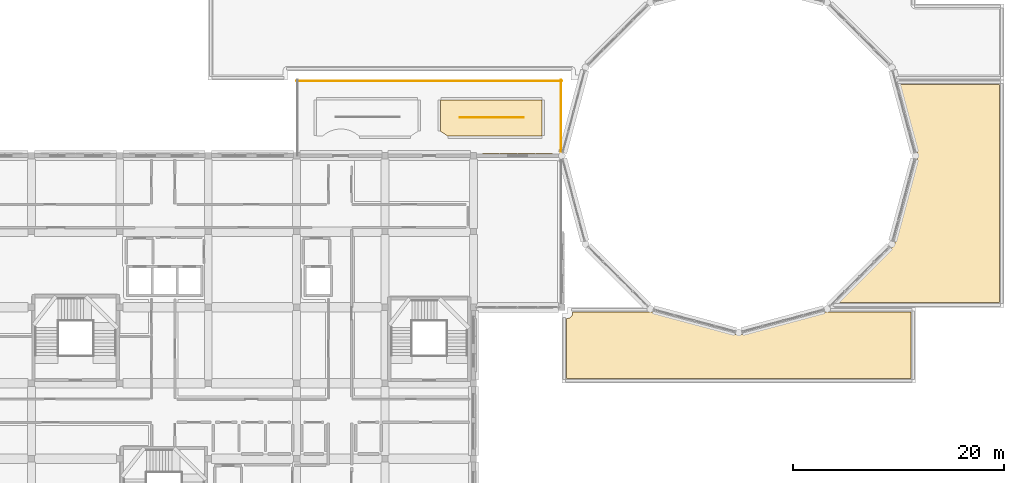
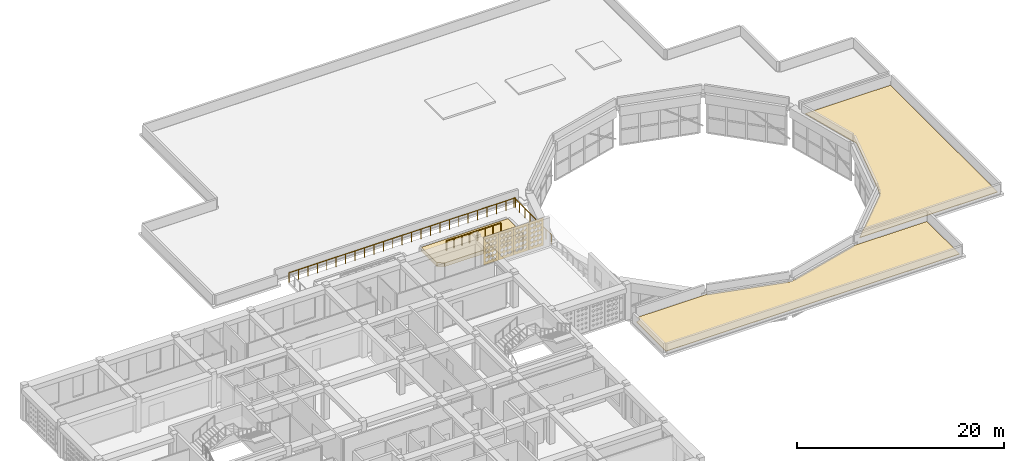
# One storey, part 47 of 48: 7 coverings, 5 railings.
"""IFC4 building model written with IfcOpenShell, lengths in metres."""

from ifc_helpers import new_model, si_unit, derived_unit, direction, frame, origin, origin_2d, place, context, subcontext, project, spatial, polyline, circle, outline, extrude, material, layer, layer_set, type_object, element, save


model = new_model("IFC4")

# Units and contexts
model_context = context("Model", 3, precision=1e-05, world=origin(), true_north=direction((0.0, 1.0)))
body_context = subcontext(model_context, "Body", "Model", "MODEL_VIEW")
ifc_project = project(units=[si_unit("LENGTHUNIT", "METRE"), si_unit("AREAUNIT", "SQUARE_METRE"), si_unit("VOLUMEUNIT", "CUBIC_METRE"), si_unit("PLANEANGLEUNIT", "RADIAN"), si_unit("MASSUNIT", "GRAM", prefix="KILO"), derived_unit("THERMALTRANSMITTANCEUNIT", [(si_unit("POWERUNIT", "WATT"), 1), (si_unit("LENGTHUNIT", "METRE"), -2), (si_unit("THERMODYNAMICTEMPERATUREUNIT", "KELVIN"), -1)])], contexts=[model_context])

# Site, building, storey
site_placement = place(None, origin())
site = spatial("IfcSite", under=ifc_project, at=site_placement, CompositionType="ELEMENT")
building_placement = place(site_placement, origin())
building = spatial("IfcBuilding", under=site, at=building_placement, Name="Veybourne Emporium", CompositionType="ELEMENT")
storey_placement = place(building_placement, frame((0.0, 0.0, 27.89990234375)))
storey = spatial("IfcBuildingStorey", under=building, at=storey_placement, Name="L06", CompositionType="ELEMENT", Elevation=27.89990234375)

# Railings
ifc_material_1 = material(Name="Patinated Architectural Bronze", Category="bronze")
railing_type = type_object("IfcRailingType", Name="Guard_GR-02", PredefinedType="GUARDRAIL", material=ifc_material_1)
for number, where, name in (
    (1, (33.60009765625, 57.52001953125, 0.0), "L06 terrace perimeter guardrail 005"),
    (2, (42.0, 57.52001953125, 0.0), "L06 terrace perimeter guardrail 009"),
):
    element("IfcRailing", number, at=place(storey_placement, frame(where)), inside=storey, type_object=railing_type, Name=name, PredefinedType="GUARDRAIL", context=body_context, shape_type="SweptSolid", body=[
        extrude(circle(Radius=0.02392578125, at=origin_2d()), frame((0.0, 0.0, 1.1259765625), z_axis=(1.0, 0.0, 0.0), x_axis=(0.0, 1.0, 0.0)), (0.0, 0.0, 1.0), 8.39990234375),
        extrude(circle(Radius=0.02099609375, at=origin_2d()), origin(), (0.0, 0.0, 1.0), 1.101806640625),
        extrude(circle(Radius=0.02099609375, at=origin_2d()), frame((1.050048828125, 0.0, 0.0)), (0.0, 0.0, 1.0), 1.101806640625),
        extrude(circle(Radius=0.02099609375, at=origin_2d()), frame((2.10009765625, 0.0, 0.0)), (0.0, 0.0, 1.0), 1.101806640625),
        extrude(circle(Radius=0.02099609375, at=origin_2d()), frame((3.14990234375, 0.0, 0.0)), (0.0, 0.0, 1.0), 1.101806640625),
        extrude(circle(Radius=0.02099609375, at=origin_2d()), frame((4.199951171875, 0.0, 0.0)), (0.0, 0.0, 1.0), 1.101806640625),
        extrude(circle(Radius=0.02099609375, at=origin_2d()), frame((5.25, 0.0, 0.0)), (0.0, 0.0, 1.0), 1.101806640625),
        extrude(circle(Radius=0.02099609375, at=origin_2d()), frame((6.2998046875, 0.0, 0.0)), (0.0, 0.0, 1.0), 1.101806640625),
        extrude(circle(Radius=0.02099609375, at=origin_2d()), frame((7.349853515625, 0.0, 0.0)), (0.0, 0.0, 1.0), 1.101806640625),
        extrude(circle(Radius=0.02099609375, at=origin_2d()), frame((8.39990234375, 0.0, 0.0)), (0.0, 0.0, 1.0), 1.101806640625),
    ])
railing_1_placement = place(storey_placement, frame((58.719970703125, 57.60009765625, 0.0)))
element("IfcRailing", 3, at=railing_1_placement, inside=storey, type_object=railing_type, Name="L06 terrace perimeter guardrail 010", PredefinedType="GUARDRAIL", context=body_context, shape_type="SweptSolid", body=[
    extrude(circle(Radius=0.02392578125, at=origin_2d()), frame((0.0, 0.0, 1.1259765625), z_axis=(0.0, -1.0, 0.0), x_axis=(1.0, 0.0, 0.0)), (0.0, 0.0, 1.0), 7.2001953125),
    extrude(circle(Radius=0.02099609375, at=origin_2d()), origin(), (0.0, 0.0, 1.0), 1.101806640625),
    extrude(circle(Radius=0.02099609375, at=origin_2d()), frame((0.0, -1.028564453125, 0.0)), (0.0, 0.0, 1.0), 1.101806640625),
    extrude(circle(Radius=0.02099609375, at=origin_2d()), frame((0.0, -2.05712890625, 0.0)), (0.0, 0.0, 1.0), 1.101806640625),
    extrude(circle(Radius=0.02099609375, at=origin_2d()), frame((0.0, -3.085693359375, 0.0)), (0.0, 0.0, 1.0), 1.101806640625),
    extrude(circle(Radius=0.02099609375, at=origin_2d()), frame((0.0, -4.114501953125, 0.0)), (0.0, 0.0, 1.0), 1.101806640625),
    extrude(circle(Radius=0.02099609375, at=origin_2d()), frame((0.0, -5.14306640625, 0.0)), (0.0, 0.0, 1.0), 1.101806640625),
    extrude(circle(Radius=0.02099609375, at=origin_2d()), frame((0.0, -6.171630859375, 0.0)), (0.0, 0.0, 1.0), 1.101806640625),
    extrude(circle(Radius=0.02099609375, at=origin_2d()), frame((0.0, -7.2001953125, 0.0)), (0.0, 0.0, 1.0), 1.101806640625),
])
railing_2_placement = place(storey_placement, frame((50.39990234375, 57.52001953125, 0.0)))
element("IfcRailing", 4, at=railing_2_placement, inside=storey, type_object=railing_type, Name="L06 terrace perimeter guardrail 011", PredefinedType="GUARDRAIL", context=body_context, shape_type="SweptSolid", body=[
    extrude(circle(Radius=0.02392578125, at=origin_2d()), frame((0.0, 0.0, 1.1259765625), z_axis=(1.0, 0.0, 0.0), x_axis=(0.0, 1.0, 0.0)), (0.0, 0.0, 1.0), 8.400146484375),
    extrude(circle(Radius=0.02099609375, at=origin_2d()), origin(), (0.0, 0.0, 1.0), 1.101806640625),
    extrude(circle(Radius=0.02099609375, at=origin_2d()), frame((1.050048828125, 0.0, 0.0)), (0.0, 0.0, 1.0), 1.101806640625),
    extrude(circle(Radius=0.02099609375, at=origin_2d()), frame((2.10009765625, 0.0, 0.0)), (0.0, 0.0, 1.0), 1.101806640625),
    extrude(circle(Radius=0.02099609375, at=origin_2d()), frame((3.150146484375, 0.0, 0.0)), (0.0, 0.0, 1.0), 1.101806640625),
    extrude(circle(Radius=0.02099609375, at=origin_2d()), frame((4.2001953125, 0.0, 0.0)), (0.0, 0.0, 1.0), 1.101806640625),
    extrude(circle(Radius=0.02099609375, at=origin_2d()), frame((5.25, 0.0, 0.0)), (0.0, 0.0, 1.0), 1.101806640625),
    extrude(circle(Radius=0.02099609375, at=origin_2d()), frame((6.300048828125, 0.0, 0.0)), (0.0, 0.0, 1.0), 1.101806640625),
    extrude(circle(Radius=0.02099609375, at=origin_2d()), frame((7.35009765625, 0.0, 0.0)), (0.0, 0.0, 1.0), 1.101806640625),
    extrude(circle(Radius=0.02099609375, at=origin_2d()), frame((8.400146484375, 0.0, 0.0)), (0.0, 0.0, 1.0), 1.101806640625),
])
railing_3_placement = place(storey_placement, frame((49.095458984375, 54.009521484375, 0.440185546875)))
element("IfcRailing", 5, at=railing_3_placement, inside=storey, type_object=railing_type, Name="L06 bronze roof-garden trellis balustrade 1.1", PredefinedType="GUARDRAIL", context=body_context, shape_type="SweptSolid", body=[
    extrude(circle(Radius=0.02392578125, at=origin_2d()), frame((0.0, 0.0, 1.1259765625), z_axis=(1.0, 0.0, 0.0), x_axis=(0.0, 1.0, 0.0)), (0.0, 0.0, 1.0), 6.06005859375),
    extrude(circle(Radius=0.02099609375, at=origin_2d()), origin(), (0.0, 0.0, 1.0), 1.101806640625),
    extrude(circle(Radius=0.02099609375, at=origin_2d()), frame((0.86572265625, 0.0, 0.0)), (0.0, 0.0, 1.0), 1.101806640625),
    extrude(circle(Radius=0.02099609375, at=origin_2d()), frame((1.7314453125, 0.0, 0.0)), (0.0, 0.0, 1.0), 1.101806640625),
    extrude(circle(Radius=0.02099609375, at=origin_2d()), frame((2.59716796875, 0.0, 0.0)), (0.0, 0.0, 1.0), 1.101806640625),
    extrude(circle(Radius=0.02099609375, at=origin_2d()), frame((3.462890625, 0.0, 0.0)), (0.0, 0.0, 1.0), 1.101806640625),
    extrude(circle(Radius=0.02099609375, at=origin_2d()), frame((4.32861328125, 0.0, 0.0)), (0.0, 0.0, 1.0), 1.101806640625),
    extrude(circle(Radius=0.02099609375, at=origin_2d()), frame((5.1943359375, 0.0, 0.0)), (0.0, 0.0, 1.0), 1.101806640625),
    extrude(circle(Radius=0.02099609375, at=origin_2d()), frame((6.06005859375, 0.0, 0.0)), (0.0, 0.0, 1.0), 1.101806640625),
])

# Coverings
ifc_material_2 = material(Name="Single-Ply Warm Roof Membrane", Category="membrane")
ifc_layer_1 = layer(ifc_material_2, 0.06005859375)
ifc_layer_set_1 = layer_set([ifc_layer_1], Name="Single-Ply Warm Roof Membrane")
covering_type_1 = type_object("IfcCoveringType", Name="Roofing_RFG-01", PredefinedType="ROOFING", material=ifc_layer_set_1)
covering_1_placement = place(storey_placement, origin())
element("IfcCovering", 6, at=covering_1_placement, inside=storey, type_object=covering_type_1, Name="L06 warm-roof waterproofing membrane 2.1", PredefinedType="ROOFING", context=body_context, shape_type="SweptSolid", body=[
    extrude(outline(polyline([(67.330322265625, 35.550048828125), (75.483642578125, 33.365234375), (75.529541015625, 33.35546875), (75.576416015625, 33.3505859375), (75.62353515625, 33.3505859375), (75.67041015625, 33.35546875), (75.716552734375, 33.365234375), (83.86962890625, 35.550048828125), (91.949951171875, 35.550048828125), (91.949951171875, 29.25), (59.25, 29.25), (59.25, 34.949951171875), (59.35009765625, 34.949951171875), (59.39404296875, 34.9521484375), (59.437744140625, 34.958740234375), (59.480712890625, 34.969482421875), (59.522216796875, 34.984130859375), (59.56201171875, 35.003173828125), (59.60009765625, 35.02587890625), (59.635498046875, 35.05224609375), (59.668212890625, 35.081787109375), (59.69775390625, 35.114501953125), (59.72412109375, 35.14990234375), (59.746826171875, 35.18798828125), (59.765869140625, 35.227783203125), (59.780517578125, 35.269287109375), (59.791259765625, 35.312255859375), (59.7978515625, 35.35595703125), (59.800048828125, 35.39990234375), (59.800048828125, 35.550048828125), (67.330322265625, 35.550048828125)])), origin(), (0.0, 0.0, 1.0), 0.06005859375),
])
covering_2_placement = place(storey_placement, origin())
element("IfcCovering", 7, at=covering_2_placement, inside=storey, type_object=covering_type_1, Name="L06 warm-roof waterproofing membrane 3.1", PredefinedType="ROOFING", context=body_context, shape_type="SweptSolid", body=[
    extrude(outline(polyline([(84.96240234375, 36.449951171875), (90.294189453125, 41.78173828125), (90.32568359375, 41.81689453125), (90.353515625, 41.85498046875), (90.376953125, 41.895751953125), (90.396240234375, 41.938720703125), (90.41064453125, 41.983642578125), (92.634765625, 50.283447265625), (92.64453125, 50.32958984375), (92.6494140625, 50.37646484375), (92.6494140625, 50.423583984375), (92.64453125, 50.470458984375), (92.634765625, 50.516357421875), (90.857177734375, 57.14990234375), (100.35009765625, 57.14990234375), (100.35009765625, 36.449951171875), (84.96240234375, 36.449951171875)])), origin(), (0.0, 0.0, 1.0), 0.06005859375),
])
ifc_material_3 = material(Name="Intensive Green Roof Build-up", Category="membrane")
ifc_layer_2 = layer(ifc_material_3, 0.43994140625)
ifc_layer_set_2 = layer_set([ifc_layer_2], Name="Intensive Green Roof Build-up")
covering_type_2 = type_object("IfcCoveringType", Name="Roofing_RFG-02", PredefinedType="ROOFING", material=ifc_layer_set_2)
covering_3_placement = place(storey_placement, origin())
element("IfcCovering", 8, at=covering_3_placement, inside=storey, type_object=covering_type_2, Name="L06 intensive planted garden bed 1.1", PredefinedType="ROOFING", context=body_context, shape_type="SweptSolid", body=[
    extrude(outline(polyline([(47.2900390625, 52.6923828125), (47.2900390625, 55.7099609375), (56.909912109375, 55.7099609375), (56.909912109375, 52.2900390625), (47.894287109375, 52.2900390625), (47.847412109375, 52.33251953125), (47.77392578125, 52.392822265625), (47.650146484375, 52.484619140625), (47.571044921875, 52.53759765625), (47.438720703125, 52.61669921875), (47.35498046875, 52.66162109375), (47.2900390625, 52.6923828125)])), origin(), (0.0, 0.0, 1.0), 0.440185546875),
])
ifc_material_4 = material(Name="Warm-White Perforated Aluminium Screen Alloy", Category="aluminium")
ifc_layer_3 = layer(ifc_material_4, 0.06005859375)
ifc_layer_set_3 = layer_set([ifc_layer_3], Name="Warm-White Perforated Aluminium Screen Alloy")
covering_type_3 = type_object("IfcCoveringType", Name="WaveScreen_SCR-01", PredefinedType="CLADDING", material=ifc_layer_set_3)
covering_4_placement = place(storey_placement, frame((57.107421875, 50.623046875, 1.68017578125), z_axis=(0.0, -1.0, 0.0), x_axis=(1.0, 0.0, 0.0)))
element("IfcCovering", 9, at=covering_4_placement, inside=storey, type_object=covering_type_3, Name="L06 wave-perforated aluminium screen SCR-01 (26T.4)", PredefinedType="CLADDING", context=body_context, shape_type="SweptSolid", body=[
    extrude(outline(polyline([(-0.81982421875, -1.6201171875), (0.81982421875, -1.6201171875), (0.81982421875, 1.6201171875), (-0.81982421875, 1.6201171875), (-0.81982421875, -1.6201171875)]), holes=[polyline([(-0.433349609375, -0.879150390625), (-0.2470703125, -1.033203125), (-0.2470703125, -1.206787109375), (-0.433349609375, -1.36083984375), (-0.61962890625, -1.206787109375), (-0.61962890625, -1.033203125), (-0.433349609375, -0.879150390625)]), polyline([(-0.433349609375, -0.319091796875), (-0.2470703125, -0.473388671875), (-0.2470703125, -0.646728515625), (-0.433349609375, -0.80078125), (-0.61962890625, -0.646728515625), (-0.61962890625, -0.473388671875), (-0.433349609375, -0.319091796875)]), polyline([(-0.433349609375, 0.24072265625), (-0.2470703125, 0.086669921875), (-0.2470703125, -0.086669921875), (-0.433349609375, -0.24072265625), (-0.61962890625, -0.086669921875), (-0.61962890625, 0.086669921875), (-0.433349609375, 0.24072265625)]), polyline([(-0.433349609375, 0.7939453125), (-0.2470703125, 0.644287109375), (-0.2470703125, 0.475830078125), (-0.433349609375, 0.325927734375), (-0.61962890625, 0.475830078125), (-0.61962890625, 0.644287109375), (-0.433349609375, 0.7939453125)]), polyline([(-0.433349609375, 1.34228515625), (-0.2470703125, 1.199951171875), (-0.2470703125, 1.0400390625), (-0.433349609375, 0.897705078125), (-0.61962890625, 1.0400390625), (-0.61962890625, 1.199951171875), (-0.433349609375, 1.34228515625)]), polyline([(0.0, -0.879150390625), (0.186279296875, -1.033203125), (0.186279296875, -1.206787109375), (0.0, -1.36083984375), (-0.186279296875, -1.206787109375), (-0.186279296875, -1.033203125), (0.0, -0.879150390625)]), polyline([(0.0, -0.319091796875), (0.186279296875, -0.473388671875), (0.186279296875, -0.646728515625), (0.0, -0.80078125), (-0.186279296875, -0.646728515625), (-0.186279296875, -0.473388671875), (0.0, -0.319091796875)]), polyline([(0.0, 0.239501953125), (0.186279296875, 0.086181640625), (0.186279296875, -0.086181640625), (0.0, -0.239501953125), (-0.186279296875, -0.086181640625), (-0.186279296875, 0.086181640625), (0.0, 0.239501953125)]), polyline([(0.0, 0.788330078125), (0.186279296875, 0.64208984375), (0.186279296875, 0.477783203125), (0.0, 0.331787109375), (-0.186279296875, 0.477783203125), (-0.186279296875, 0.64208984375), (0.0, 0.788330078125)]), polyline([(0.0, 1.336181640625), (0.186279296875, 1.197998046875), (0.186279296875, 1.0419921875), (0.0, 0.90380859375), (-0.186279296875, 1.0419921875), (-0.186279296875, 1.197998046875), (0.0, 1.336181640625)]), polyline([(0.433349609375, -0.879150390625), (0.61962890625, -1.033203125), (0.61962890625, -1.206787109375), (0.433349609375, -1.36083984375), (0.2470703125, -1.206787109375), (0.2470703125, -1.033203125), (0.433349609375, -0.879150390625)]), polyline([(0.433349609375, -0.319091796875), (0.61962890625, -0.473388671875), (0.61962890625, -0.646728515625), (0.433349609375, -0.80078125), (0.2470703125, -0.646728515625), (0.2470703125, -0.473388671875), (0.433349609375, -0.319091796875)]), polyline([(0.433349609375, 0.234130859375), (0.61962890625, 0.084228515625), (0.61962890625, -0.084228515625), (0.433349609375, -0.234130859375), (0.2470703125, -0.084228515625), (0.2470703125, 0.084228515625), (0.433349609375, 0.234130859375)]), polyline([(0.433349609375, 0.782470703125), (0.61962890625, 0.64013671875), (0.61962890625, 0.47998046875), (0.433349609375, 0.337646484375), (0.2470703125, 0.47998046875), (0.2470703125, 0.64013671875), (0.433349609375, 0.782470703125)]), polyline([(0.433349609375, 1.330078125), (0.615234375, 1.195556640625), (0.615234375, 1.04443359375), (0.433349609375, 0.909912109375), (0.25146484375, 1.04443359375), (0.25146484375, 1.195556640625), (0.433349609375, 1.330078125)])]), origin(), (0.0, 0.0, 1.0), 0.06005859375),
])
ifc_layer_4 = layer(ifc_material_4, 0.06005859375)
ifc_layer_set_4 = layer_set([ifc_layer_4], Name="Warm-White Perforated Aluminium Screen Alloy")
covering_type_4 = type_object("IfcCoveringType", Name="WaveScreen_SCR-02", PredefinedType="CLADDING", material=ifc_layer_set_4)
covering_5_placement = place(storey_placement, frame((52.0673828125, 50.623046875, 1.68017578125), z_axis=(0.0, -1.0, 0.0), x_axis=(1.0, 0.0, 0.0)))
element("IfcCovering", 10, at=covering_5_placement, inside=storey, type_object=covering_type_4, Name="L06 wave-perforated aluminium screen SCR-02 (26T.1)", PredefinedType="CLADDING", context=body_context, shape_type="SweptSolid", body=[
    extrude(outline(polyline([(-0.81982421875, -1.6201171875), (0.81982421875, -1.6201171875), (0.81982421875, 1.6201171875), (-0.81982421875, 1.6201171875), (-0.81982421875, -1.6201171875)]), holes=[polyline([(-0.433349609375, -0.879150390625), (-0.2470703125, -1.033203125), (-0.2470703125, -1.206787109375), (-0.433349609375, -1.36083984375), (-0.61962890625, -1.206787109375), (-0.61962890625, -1.033203125), (-0.433349609375, -0.879150390625)]), polyline([(-0.433349609375, -0.319091796875), (-0.2470703125, -0.473388671875), (-0.2470703125, -0.646728515625), (-0.433349609375, -0.80078125), (-0.61962890625, -0.646728515625), (-0.61962890625, -0.473388671875), (-0.433349609375, -0.319091796875)]), polyline([(-0.433349609375, 0.24072265625), (-0.2470703125, 0.086669921875), (-0.2470703125, -0.086669921875), (-0.433349609375, -0.24072265625), (-0.61962890625, -0.086669921875), (-0.61962890625, 0.086669921875), (-0.433349609375, 0.24072265625)]), polyline([(-0.433349609375, 0.80078125), (-0.2470703125, 0.646728515625), (-0.2470703125, 0.473388671875), (-0.433349609375, 0.319091796875), (-0.61962890625, 0.473388671875), (-0.61962890625, 0.646728515625), (-0.433349609375, 0.80078125)]), polyline([(-0.433349609375, 1.36083984375), (-0.2470703125, 1.206787109375), (-0.2470703125, 1.033203125), (-0.433349609375, 0.879150390625), (-0.61962890625, 1.033203125), (-0.61962890625, 1.206787109375), (-0.433349609375, 1.36083984375)]), polyline([(0.0, -0.879150390625), (0.186279296875, -1.033203125), (0.186279296875, -1.206787109375), (0.0, -1.36083984375), (-0.186279296875, -1.206787109375), (-0.186279296875, -1.033203125), (0.0, -0.879150390625)]), polyline([(0.0, -0.319091796875), (0.186279296875, -0.473388671875), (0.186279296875, -0.646728515625), (0.0, -0.80078125), (-0.186279296875, -0.646728515625), (-0.186279296875, -0.473388671875), (0.0, -0.319091796875)]), polyline([(0.0, 0.24072265625), (0.186279296875, 0.086669921875), (0.186279296875, -0.086669921875), (0.0, -0.24072265625), (-0.186279296875, -0.086669921875), (-0.186279296875, 0.086669921875), (0.0, 0.24072265625)]), polyline([(0.0, 0.80078125), (0.186279296875, 0.646728515625), (0.186279296875, 0.473388671875), (0.0, 0.319091796875), (-0.186279296875, 0.473388671875), (-0.186279296875, 0.646728515625), (0.0, 0.80078125)]), polyline([(0.0, 1.36083984375), (0.186279296875, 1.206787109375), (0.186279296875, 1.033203125), (0.0, 0.879150390625), (-0.186279296875, 1.033203125), (-0.186279296875, 1.206787109375), (0.0, 1.36083984375)]), polyline([(0.433349609375, -0.879150390625), (0.61962890625, -1.033203125), (0.61962890625, -1.206787109375), (0.433349609375, -1.36083984375), (0.2470703125, -1.206787109375), (0.2470703125, -1.033203125), (0.433349609375, -0.879150390625)]), polyline([(0.433349609375, -0.319091796875), (0.61962890625, -0.473388671875), (0.61962890625, -0.646728515625), (0.433349609375, -0.80078125), (0.2470703125, -0.646728515625), (0.2470703125, -0.473388671875), (0.433349609375, -0.319091796875)]), polyline([(0.433349609375, 0.24072265625), (0.61962890625, 0.086669921875), (0.61962890625, -0.086669921875), (0.433349609375, -0.24072265625), (0.2470703125, -0.086669921875), (0.2470703125, 0.086669921875), (0.433349609375, 0.24072265625)]), polyline([(0.433349609375, 0.80078125), (0.61962890625, 0.646728515625), (0.61962890625, 0.473388671875), (0.433349609375, 0.319091796875), (0.2470703125, 0.473388671875), (0.2470703125, 0.646728515625), (0.433349609375, 0.80078125)]), polyline([(0.433349609375, 1.36083984375), (0.61962890625, 1.206787109375), (0.61962890625, 1.033203125), (0.433349609375, 0.879150390625), (0.2470703125, 1.033203125), (0.2470703125, 1.206787109375), (0.433349609375, 1.36083984375)])]), origin(), (0.0, 0.0, 1.0), 0.06005859375),
])
ifc_layer_5 = layer(ifc_material_4, 0.06005859375)
ifc_layer_set_5 = layer_set([ifc_layer_5], Name="Warm-White Perforated Aluminium Screen Alloy")
covering_type_5 = type_object("IfcCoveringType", Name="WaveScreen_SCR-03", PredefinedType="CLADDING", material=ifc_layer_set_5)
covering_6_placement = place(storey_placement, frame((53.74755859375, 50.623046875, 1.68017578125), z_axis=(0.0, -1.0, 0.0), x_axis=(1.0, 0.0, 0.0)))
element("IfcCovering", 11, at=covering_6_placement, inside=storey, type_object=covering_type_5, Name="L06 wave-perforated aluminium screen SCR-03 (26T.2)", PredefinedType="CLADDING", context=body_context, shape_type="SweptSolid", body=[
    extrude(outline(polyline([(-0.81982421875, -1.6201171875), (0.81982421875, -1.6201171875), (0.81982421875, 1.6201171875), (-0.81982421875, 1.6201171875), (-0.81982421875, -1.6201171875)]), holes=[polyline([(-0.433349609375, -0.879150390625), (-0.2470703125, -1.033203125), (-0.2470703125, -1.206787109375), (-0.433349609375, -1.36083984375), (-0.61962890625, -1.206787109375), (-0.61962890625, -1.033203125), (-0.433349609375, -0.879150390625)]), polyline([(-0.433349609375, -0.319091796875), (-0.2470703125, -0.473388671875), (-0.2470703125, -0.646728515625), (-0.433349609375, -0.80078125), (-0.61962890625, -0.646728515625), (-0.61962890625, -0.473388671875), (-0.433349609375, -0.319091796875)]), polyline([(-0.433349609375, 0.24072265625), (-0.2470703125, 0.086669921875), (-0.2470703125, -0.086669921875), (-0.433349609375, -0.24072265625), (-0.61962890625, -0.086669921875), (-0.61962890625, 0.086669921875), (-0.433349609375, 0.24072265625)]), polyline([(-0.433349609375, 0.80078125), (-0.2470703125, 0.646728515625), (-0.2470703125, 0.473388671875), (-0.433349609375, 0.319091796875), (-0.61962890625, 0.473388671875), (-0.61962890625, 0.646728515625), (-0.433349609375, 0.80078125)]), polyline([(-0.433349609375, 1.36083984375), (-0.2470703125, 1.206787109375), (-0.2470703125, 1.033203125), (-0.433349609375, 0.879150390625), (-0.61962890625, 1.033203125), (-0.61962890625, 1.206787109375), (-0.433349609375, 1.36083984375)]), polyline([(0.0, -0.879150390625), (0.186279296875, -1.033203125), (0.186279296875, -1.206787109375), (0.0, -1.36083984375), (-0.186279296875, -1.206787109375), (-0.186279296875, -1.033203125), (0.0, -0.879150390625)]), polyline([(0.0, -0.319091796875), (0.186279296875, -0.473388671875), (0.186279296875, -0.646728515625), (0.0, -0.80078125), (-0.186279296875, -0.646728515625), (-0.186279296875, -0.473388671875), (0.0, -0.319091796875)]), polyline([(0.0, 0.24072265625), (0.186279296875, 0.086669921875), (0.186279296875, -0.086669921875), (0.0, -0.24072265625), (-0.186279296875, -0.086669921875), (-0.186279296875, 0.086669921875), (0.0, 0.24072265625)]), polyline([(0.0, 0.80078125), (0.186279296875, 0.646728515625), (0.186279296875, 0.473388671875), (0.0, 0.319091796875), (-0.186279296875, 0.473388671875), (-0.186279296875, 0.646728515625), (0.0, 0.80078125)]), polyline([(0.0, 1.36083984375), (0.186279296875, 1.206787109375), (0.186279296875, 1.033203125), (0.0, 0.879150390625), (-0.186279296875, 1.033203125), (-0.186279296875, 1.206787109375), (0.0, 1.36083984375)]), polyline([(0.433349609375, -0.879150390625), (0.61962890625, -1.033203125), (0.61962890625, -1.206787109375), (0.433349609375, -1.36083984375), (0.2470703125, -1.206787109375), (0.2470703125, -1.033203125), (0.433349609375, -0.879150390625)]), polyline([(0.433349609375, -0.319091796875), (0.61962890625, -0.473388671875), (0.61962890625, -0.646728515625), (0.433349609375, -0.80078125), (0.2470703125, -0.646728515625), (0.2470703125, -0.473388671875), (0.433349609375, -0.319091796875)]), polyline([(0.433349609375, 0.24072265625), (0.61962890625, 0.086669921875), (0.61962890625, -0.086669921875), (0.433349609375, -0.24072265625), (0.2470703125, -0.086669921875), (0.2470703125, 0.086669921875), (0.433349609375, 0.24072265625)]), polyline([(0.433349609375, 0.80078125), (0.61962890625, 0.646728515625), (0.61962890625, 0.473388671875), (0.433349609375, 0.319091796875), (0.2470703125, 0.473388671875), (0.2470703125, 0.646728515625), (0.433349609375, 0.80078125)]), polyline([(0.433349609375, 1.36083984375), (0.61962890625, 1.206787109375), (0.61962890625, 1.033203125), (0.433349609375, 0.879150390625), (0.2470703125, 1.033203125), (0.2470703125, 1.206787109375), (0.433349609375, 1.36083984375)])]), origin(), (0.0, 0.0, 1.0), 0.06005859375),
])
ifc_layer_6 = layer(ifc_material_4, 0.06005859375)
ifc_layer_set_6 = layer_set([ifc_layer_6], Name="Warm-White Perforated Aluminium Screen Alloy")
covering_type_6 = type_object("IfcCoveringType", Name="WaveScreen_SCR-04", PredefinedType="CLADDING", material=ifc_layer_set_6)
covering_7_placement = place(storey_placement, frame((55.427490234375, 50.623046875, 1.68017578125), z_axis=(0.0, -1.0, 0.0), x_axis=(1.0, 0.0, 0.0)))
element("IfcCovering", 12, at=covering_7_placement, inside=storey, type_object=covering_type_6, Name="L06 wave-perforated aluminium screen SCR-04 (26T.3)", PredefinedType="CLADDING", context=body_context, shape_type="SweptSolid", body=[
    extrude(outline(polyline([(-0.81982421875, -1.6201171875), (0.81982421875, -1.6201171875), (0.81982421875, 1.6201171875), (-0.81982421875, 1.6201171875), (-0.81982421875, -1.6201171875)]), holes=[polyline([(-0.433349609375, -0.879150390625), (-0.2470703125, -1.033203125), (-0.2470703125, -1.206787109375), (-0.433349609375, -1.36083984375), (-0.61962890625, -1.206787109375), (-0.61962890625, -1.033203125), (-0.433349609375, -0.879150390625)]), polyline([(-0.433349609375, -0.319091796875), (-0.2470703125, -0.473388671875), (-0.2470703125, -0.646728515625), (-0.433349609375, -0.80078125), (-0.61962890625, -0.646728515625), (-0.61962890625, -0.473388671875), (-0.433349609375, -0.319091796875)]), polyline([(-0.433349609375, 0.24072265625), (-0.2470703125, 0.086669921875), (-0.2470703125, -0.086669921875), (-0.433349609375, -0.24072265625), (-0.61962890625, -0.086669921875), (-0.61962890625, 0.086669921875), (-0.433349609375, 0.24072265625)]), polyline([(-0.433349609375, 0.80078125), (-0.2470703125, 0.646728515625), (-0.2470703125, 0.473388671875), (-0.433349609375, 0.319091796875), (-0.61962890625, 0.473388671875), (-0.61962890625, 0.646728515625), (-0.433349609375, 0.80078125)]), polyline([(-0.433349609375, 1.36083984375), (-0.2470703125, 1.206787109375), (-0.2470703125, 1.033203125), (-0.433349609375, 0.879150390625), (-0.61962890625, 1.033203125), (-0.61962890625, 1.206787109375), (-0.433349609375, 1.36083984375)]), polyline([(0.0, -0.879150390625), (0.186279296875, -1.033203125), (0.186279296875, -1.206787109375), (0.0, -1.36083984375), (-0.186279296875, -1.206787109375), (-0.186279296875, -1.033203125), (0.0, -0.879150390625)]), polyline([(0.0, -0.319091796875), (0.186279296875, -0.473388671875), (0.186279296875, -0.646728515625), (0.0, -0.80078125), (-0.186279296875, -0.646728515625), (-0.186279296875, -0.473388671875), (0.0, -0.319091796875)]), polyline([(0.0, 0.24072265625), (0.186279296875, 0.086669921875), (0.186279296875, -0.086669921875), (0.0, -0.24072265625), (-0.186279296875, -0.086669921875), (-0.186279296875, 0.086669921875), (0.0, 0.24072265625)]), polyline([(0.0, 0.80078125), (0.186279296875, 0.646728515625), (0.186279296875, 0.473388671875), (0.0, 0.319091796875), (-0.186279296875, 0.473388671875), (-0.186279296875, 0.646728515625), (0.0, 0.80078125)]), polyline([(0.0, 1.358642578125), (0.186279296875, 1.205810546875), (0.186279296875, 1.0341796875), (0.0, 0.88134765625), (-0.186279296875, 1.0341796875), (-0.186279296875, 1.205810546875), (0.0, 1.358642578125)]), polyline([(0.433349609375, -0.879150390625), (0.61962890625, -1.033203125), (0.61962890625, -1.206787109375), (0.433349609375, -1.36083984375), (0.2470703125, -1.206787109375), (0.2470703125, -1.033203125), (0.433349609375, -0.879150390625)]), polyline([(0.433349609375, -0.319091796875), (0.61962890625, -0.473388671875), (0.61962890625, -0.646728515625), (0.433349609375, -0.80078125), (0.2470703125, -0.646728515625), (0.2470703125, -0.473388671875), (0.433349609375, -0.319091796875)]), polyline([(0.433349609375, 0.24072265625), (0.61962890625, 0.086669921875), (0.61962890625, -0.086669921875), (0.433349609375, -0.24072265625), (0.2470703125, -0.086669921875), (0.2470703125, 0.086669921875), (0.433349609375, 0.24072265625)]), polyline([(0.433349609375, 0.80078125), (0.61962890625, 0.646728515625), (0.61962890625, 0.473388671875), (0.433349609375, 0.319091796875), (0.2470703125, 0.473388671875), (0.2470703125, 0.646728515625), (0.433349609375, 0.80078125)]), polyline([(0.433349609375, 1.353271484375), (0.61962890625, 1.2041015625), (0.61962890625, 1.035888671875), (0.433349609375, 0.88671875), (0.2470703125, 1.035888671875), (0.2470703125, 1.2041015625), (0.433349609375, 1.353271484375)])]), origin(), (0.0, 0.0, 1.0), 0.06005859375),
])

save(model, "model.ifc")
